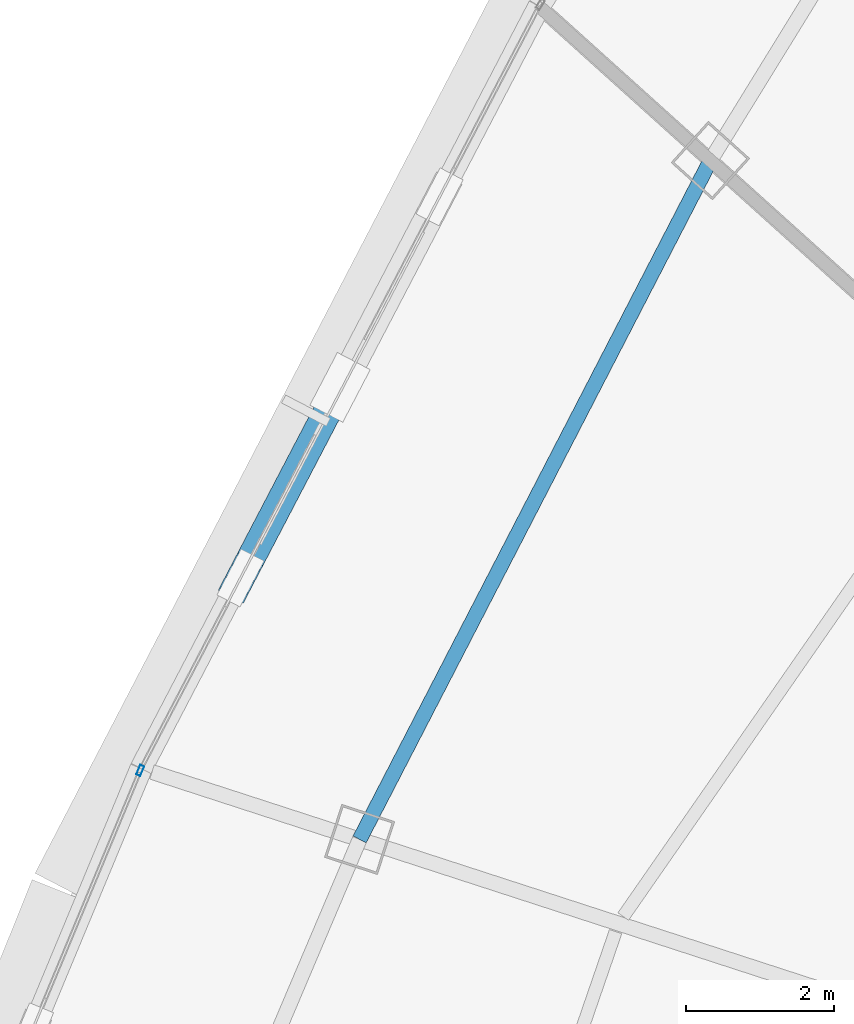
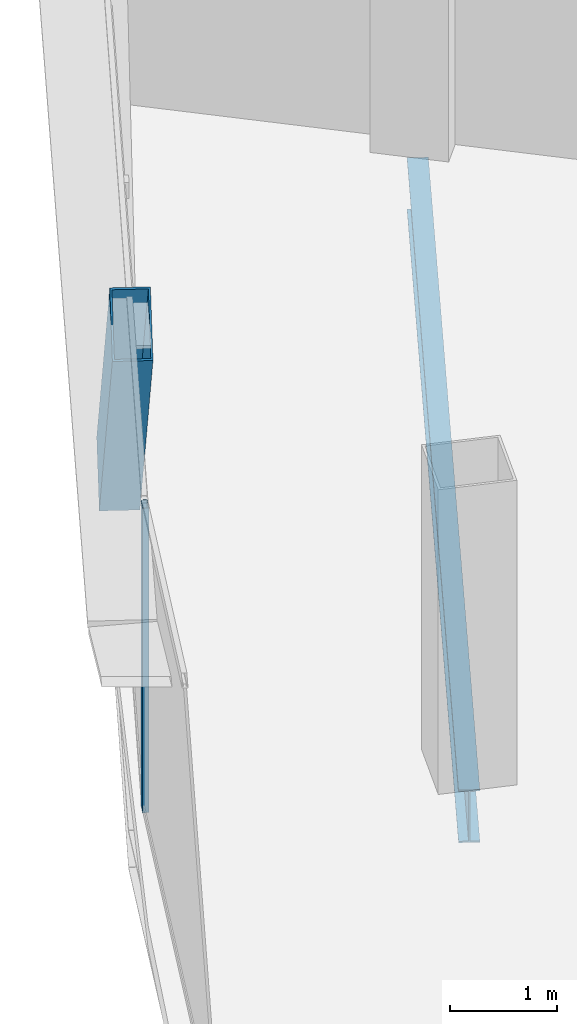
# One storey, part 8 of 37: 2 members, 1 beam, 1 element without a shape of its own.
"""IFC4 building model written with IfcOpenShell, lengths in metres."""

from ifc_helpers import new_model, si_unit, direction, frame, origin, origin_2d, place, context, subcontext, project, spatial, hollow_rectangle, i_section, extrude, source, transform, mapped, material, layer, layer_set, material_profile, profile_set, type_object, element, aggregate, save


model = new_model("IFC4")

# Units and contexts
model_context = context("Model", 3, precision=1e-05, world=origin(), true_north=direction((0.0, 1.0)))
body_context = subcontext(model_context, "Body", "Model", "MODEL_VIEW")
ifc_project = project(units=[si_unit("LENGTHUNIT", "METRE"), si_unit("AREAUNIT", "SQUARE_METRE"), si_unit("VOLUMEUNIT", "CUBIC_METRE"), si_unit("PLANEANGLEUNIT", "RADIAN"), si_unit("MASSUNIT", "GRAM", prefix="KILO"), si_unit("THERMODYNAMICTEMPERATUREUNIT", "KELVIN"), si_unit("POWERUNIT", "WATT")], contexts=[model_context])

# Site, building, storey
site_placement = place(None, origin())
site = spatial("IfcSite", under=ifc_project, at=site_placement, CompositionType="ELEMENT")
building_placement = place(site_placement, origin())
building = spatial("IfcBuilding", under=site, at=building_placement, Name="Yunzhuo Pagoda Commons", CompositionType="ELEMENT")
storey_placement = place(building_placement, frame((0.0, 0.0, 281.2900390625)))
storey = spatial("IfcBuildingStorey", under=building, at=storey_placement, Name="L70", CompositionType="ELEMENT", Elevation=281.2900390625)

# Beam
ifc_material_1 = material(Name="Structural steel Q355B", Category="steel")
ifc_material_profile_1 = material_profile(ifc_material_1, i_section(OverallWidth=0.199951171875, OverallDepth=0.60009765625, WebThickness=0.010986328125, FlangeThickness=0.01708984375, at=origin_2d()), Name="Structural steel Q355B")
ifc_profile_set_1 = profile_set([ifc_material_profile_1], Name="Structural steel Q355B")
beam_type = type_object("IfcBeamType", Name="B-RG3 Beam HN 600x200x11x17", PredefinedType="BEAM", material=ifc_profile_set_1)
shared_shape_1 = source(origin(), body_context, "Body", "SweptSolid", [
    extrude(i_section(OverallWidth=0.199951171875, OverallDepth=0.60009765625, WebThickness=0.010986328125, FlangeThickness=0.01708984375, at=origin_2d()), origin(), (0.0, 0.0, 1.0), 10.3017578125),
])
beam_placement = place(storey_placement, frame((29.4267578125, 50.423583984375, -0.559814453125), z_axis=(-0.459070867827, -0.888399650108, 0.0), x_axis=(0.888399650108, -0.459070867827, 0.0)))
element("IfcBeam", 1, at=beam_placement, inside=storey, type_object=beam_type, Name="L70 column-ring beam 10", PredefinedType="BEAM", context=body_context, shape_type="MappedRepresentation", body=[
    mapped(shared_shape_1, transform((0.0, 0.0, 0.0), scale=1.0)),
])

# Member
ifc_material_profile_2 = material_profile(ifc_material_1, hollow_rectangle(XDim=0.3798828125, YDim=0.719970703125, WallThickness=0.02001953125, at=origin_2d()), Name="Structural steel Q355B")
ifc_profile_set_2 = profile_set([ifc_material_profile_2], Name="Structural steel Q355B")
member_type_1 = type_object("IfcMemberType", Name="M-DL3 Brace BOX 720x380x20", PredefinedType="BRACE", material=ifc_profile_set_2)
shared_shape_2 = source(origin(), body_context, "Body", "SweptSolid", [
    extrude(hollow_rectangle(XDim=0.3798828125, YDim=0.719970703125, WallThickness=0.02001953125, at=origin_2d()), origin(), (0.0, 0.0, 1.0), 4.723388671875),
])
member_1_placement = place(storey_placement, frame((24.4345703125, 47.36572265625, -0.260009765625), z_axis=(-0.284024371624, -0.543807172676, 0.789685959904), x_axis=(0.886384969123, -0.462948902702, 0.0)))
element("IfcMember", 2, at=member_1_placement, inside=storey, type_object=member_type_1, Name="L70 facade diamond brace F3.2R", PredefinedType="BRACE", context=body_context, shape_type="MappedRepresentation", body=[
    mapped(shared_shape_2, transform((0.0, 0.0, 0.0), scale=1.0)),
])

# Curtain wall, member
ifc_material_2 = material(Name="Anodized aluminium 6063-T6", Category="aluminium")
ifc_layer = layer(ifc_material_2, 0.139892578125)
ifc_layer_set = layer_set([ifc_layer], Name="Anodized aluminium 6063-T6")
curtain_wall_type = type_object("IfcCurtainWallType", Name="CW-HI High-Zone Ribbon Curtain Wall", PredefinedType="NOTDEFINED", material=ifc_layer_set)
curtain_wall_placement = place(storey_placement, origin())
curtain_wall = element("IfcCurtainWall", 3, at=curtain_wall_placement, inside=storey, type_object=curtain_wall_type, Name="L70 curtain wall CW-L70-F3B4", PredefinedType="NOTDEFINED")
ifc_material_profile_3 = material_profile(ifc_material_2, hollow_rectangle(XDim=0.06005859375, YDim=0.139892578125, WallThickness=0.00341796875, at=origin_2d()), Name="Anodized aluminium 6063-T6")
ifc_profile_set_3 = profile_set([ifc_material_profile_3], Name="Anodized aluminium 6063-T6")
member_type_2 = type_object("IfcMemberType", Name="CW-HI-M Mullion RHS 140x60x3.5", PredefinedType="MULLION", material=ifc_profile_set_3)
shared_shape_3 = source(origin(), body_context, "Body", "SweptSolid", [
    extrude(hollow_rectangle(XDim=0.06005859375, YDim=0.139892578125, WallThickness=0.00341796875, at=origin_2d()), origin(), (0.0, 0.0, 1.0), 3.469970703125),
])
member_2_placement = place(storey_placement, frame((21.740234375, 42.200927734375, 0.0), z_axis=(0.0, 0.0, 1.0), x_axis=(0.923393531316, -0.383854642182, 0.0)))
member_2 = element("IfcMember", 4, at=member_2_placement, type_object=member_type_2, Name="CW mullion 1", PredefinedType="MULLION", context=body_context, shape_type="MappedRepresentation", body=[
    mapped(shared_shape_3, transform((0.0, 0.0, 0.0), scale=1.0)),
])
aggregate(curtain_wall, [member_2])

save(model, "model.ifc")
